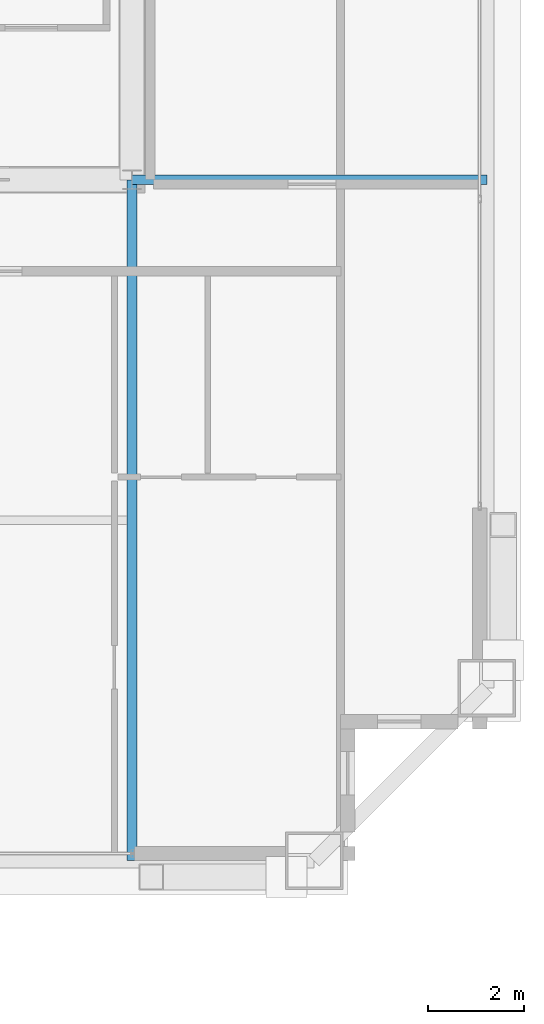
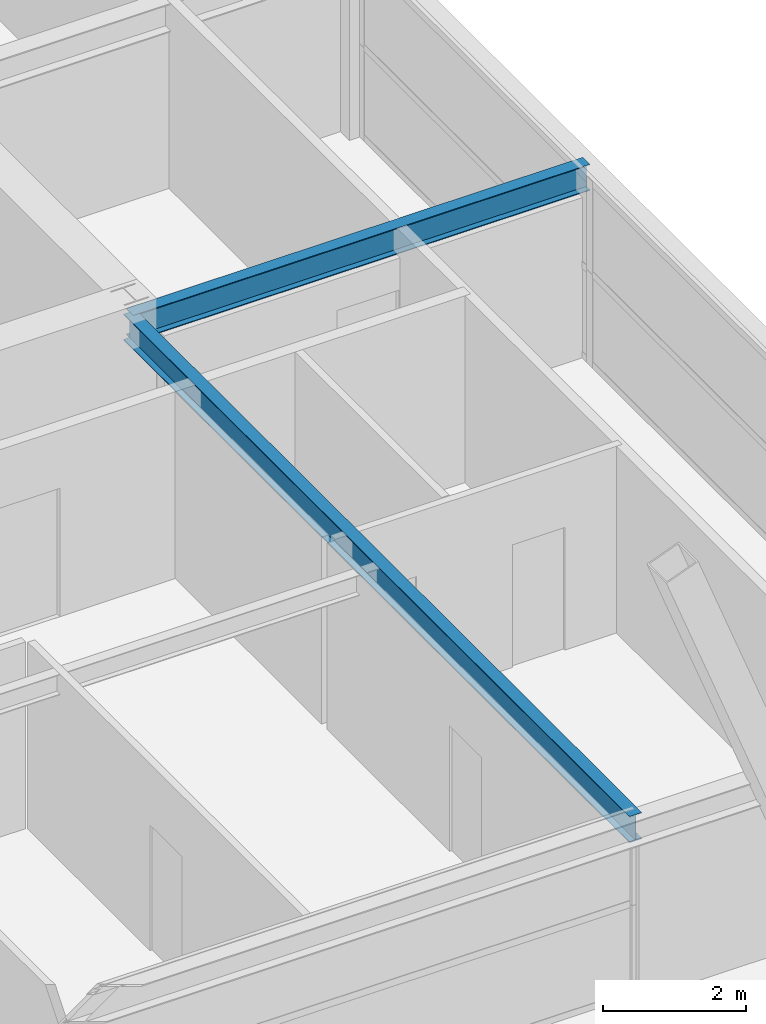
# One storey, part 15 of 36: 2 beams.
"""IFC4 building model written with IfcOpenShell, lengths in metres."""

from ifc_helpers import new_model, si_unit, direction, frame, origin, origin_2d, place, context, subcontext, project, spatial, i_section, extrude, source, transform, mapped, material, material_profile, profile_set, type_object, element, save


model = new_model("IFC4")

# Units and contexts
model_context = context("Model", 3, precision=1e-05, world=origin(), true_north=direction((0.0, 1.0)))
body_context = subcontext(model_context, "Body", "Model", "MODEL_VIEW")
ifc_project = project(units=[si_unit("LENGTHUNIT", "METRE"), si_unit("AREAUNIT", "SQUARE_METRE"), si_unit("VOLUMEUNIT", "CUBIC_METRE"), si_unit("PLANEANGLEUNIT", "RADIAN"), si_unit("MASSUNIT", "GRAM", prefix="KILO"), si_unit("THERMODYNAMICTEMPERATUREUNIT", "KELVIN"), si_unit("POWERUNIT", "WATT")], contexts=[model_context])

# Site, building, storey
site_placement = place(None, origin())
site = spatial("IfcSite", under=ifc_project, at=site_placement, CompositionType="ELEMENT")
building_placement = place(site_placement, origin())
building = spatial("IfcBuilding", under=site, at=building_placement, Name="Yuzanri Waterfront Tower", CompositionType="ELEMENT")
storey_placement = place(building_placement, frame((0.0, 0.0, 255.60009765625)))
storey = spatial("IfcBuildingStorey", under=building, at=storey_placement, Name="L68", CompositionType="ELEMENT", Elevation=255.60009765625)

# Beams
ifc_material = material(Name="Steel Q355B", Category="steel")
ifc_material_profile = material_profile(ifc_material, i_section(OverallWidth=0.199951171875, OverallDepth=0.449951171875, WebThickness=0.009033203125, FlangeThickness=0.013916015625, at=origin_2d()), Name="HN 450x200x9x14")
ifc_profile_set = profile_set([ifc_material_profile], Name="Steel Q355B")
beam_type = type_object("IfcBeamType", Name="Secondary Floor Beam Q355B HN 450x200", PredefinedType="BEAM", material=ifc_profile_set)
shared_shape_1 = source(origin(), body_context, "Body", "SweptSolid", [
    extrude(i_section(OverallWidth=0.199951171875, OverallDepth=0.449951171875, WebThickness=0.009033203125, FlangeThickness=0.013916015625, at=origin_2d()), origin(), (0.0, 0.0, 1.0), 14.199951171875),
])
beam_1_placement = place(storey_placement, frame((50.199951171875, 19.39990234375, 2.974853515625), z_axis=(0.0, -1.0, 0.0), x_axis=(1.0, 0.0, 0.0)))
element("IfcBeam", 1, at=beam_1_placement, inside=storey, type_object=beam_type, Name="L68 South-East Core Line Beam", PredefinedType="BEAM", context=body_context, shape_type="MappedRepresentation", body=[
    mapped(shared_shape_1, transform((0.0, 0.0, 0.0), scale=1.0)),
])
shared_shape_2 = source(origin(), body_context, "Body", "SweptSolid", [
    extrude(i_section(OverallWidth=0.199951171875, OverallDepth=0.449951171875, WebThickness=0.009033203125, FlangeThickness=0.013916015625, at=origin_2d()), origin(), (0.0, 0.0, 1.0), 7.400146484375),
])
beam_2_placement = place(storey_placement, frame((50.199951171875, 19.39990234375, 2.974853515625), z_axis=(1.0, 0.0, 0.0), x_axis=(0.0, 1.0, 0.0)))
element("IfcBeam", 2, at=beam_2_placement, inside=storey, type_object=beam_type, Name="L68 East-South Core Line Beam", PredefinedType="BEAM", context=body_context, shape_type="MappedRepresentation", body=[
    mapped(shared_shape_2, transform((0.0, 0.0, 0.0), scale=1.0)),
])

save(model, "model.ifc")
